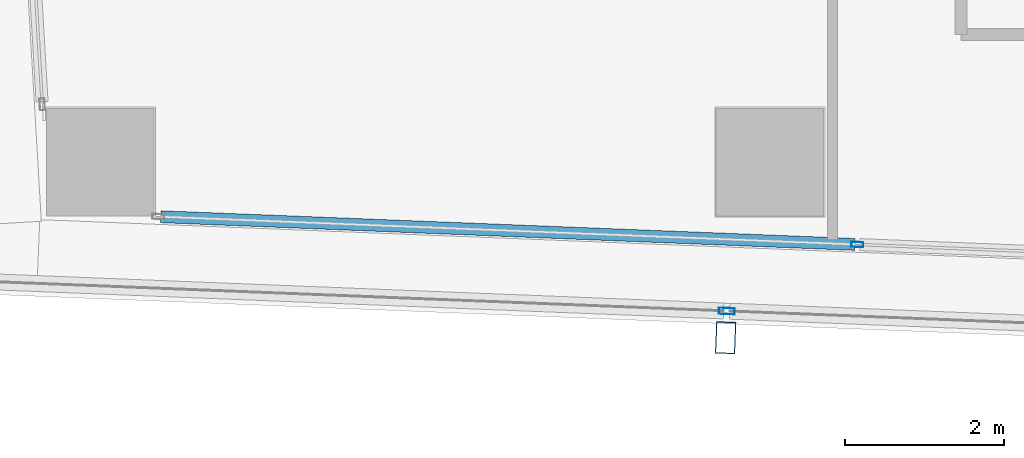
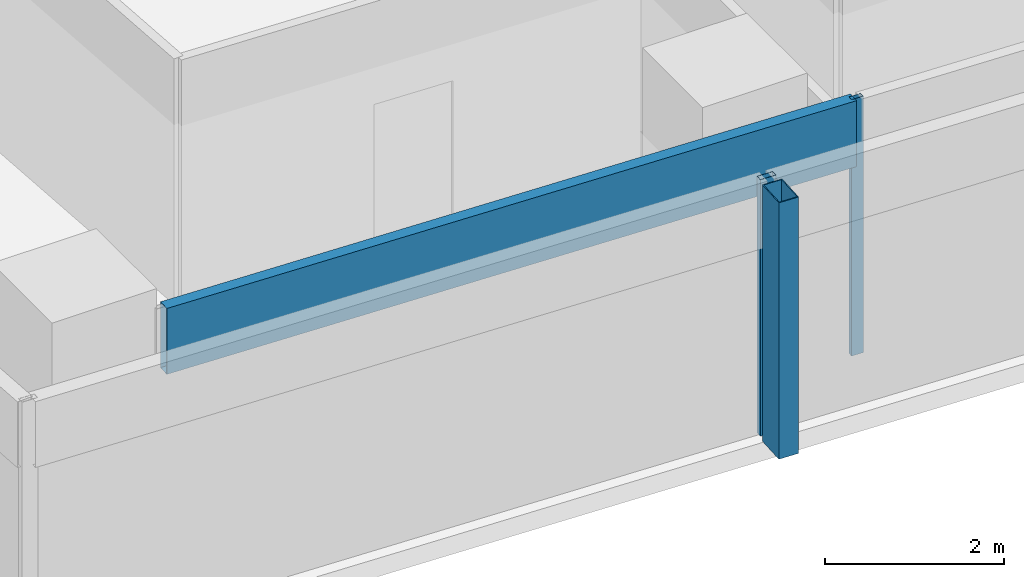
# One storey, part 3 of 38: 4 members, 2 elements without a shape of their own.
"""IFC4 building model written with IfcOpenShell, lengths in metres."""

from ifc_helpers import new_model, si_unit, direction, frame, origin, origin_2d, place, context, subcontext, project, spatial, hollow_rectangle, extrude, material, material_profile, profile_set, type_object, element, aggregate, save


model = new_model("IFC4")

# Units and contexts
model_context = context("Model", 3, precision=1e-05, world=origin(), true_north=direction((0.0, 1.0)))
body_context = subcontext(model_context, "Body", "Model", "MODEL_VIEW")
ifc_project = project(units=[si_unit("LENGTHUNIT", "METRE"), si_unit("AREAUNIT", "SQUARE_METRE"), si_unit("VOLUMEUNIT", "CUBIC_METRE"), si_unit("PLANEANGLEUNIT", "RADIAN"), si_unit("MASSUNIT", "GRAM", prefix="KILO")], contexts=[model_context])

# Site, building, storey
site_placement = place(None, origin())
site = spatial("IfcSite", under=ifc_project, at=site_placement, CompositionType="ELEMENT")
building_placement = place(site_placement, origin())
building = spatial("IfcBuilding", under=site, at=building_placement, Name="Rekha Terrace Tower", CompositionType="ELEMENT")
storey_placement = place(building_placement, frame((0.0, 0.0, 202.699951171875)))
storey = spatial("IfcBuildingStorey", under=building, at=storey_placement, Name="L51", CompositionType="ELEMENT", Elevation=202.699951171875)

# Curtain wall, member
ifc_material_1 = material(Name="Aluminium framing", Category="aluminium")
curtain_wall_type_1 = type_object("IfcCurtainWallType", Name="CW2 double skin outer glazing", PredefinedType="USERDEFINED", material=ifc_material_1)
curtain_wall_1_placement = place(storey_placement, origin())
curtain_wall_1 = element("IfcCurtainWall", 1, at=curtain_wall_1_placement, inside=storey, type_object=curtain_wall_type_1, Name="CW2 double skin outer glazing", ObjectType="DOUBLE SKIN OUTER GLAZING", PredefinedType="USERDEFINED")
ifc_material_2 = material(Name="Steel S355 with fluorocarbon finish", Category="steel")
ifc_material_profile_1 = material_profile(ifc_material_2, hollow_rectangle(XDim=0.25, YDim=0.39990234375, WallThickness=0.012451171875, at=origin_2d()), Name="RHS400x250x12.5")
ifc_profile_set_1 = profile_set([ifc_material_profile_1], Name="Steel S355 with fluorocarbon finish")
member_type_1 = type_object("IfcMemberType", Name="BL1 facade blade RHS 400 x 250", PredefinedType="USERDEFINED", material=ifc_profile_set_1)
member_1_placement = place(storey_placement, frame((16.24658203125, 14.595947265625, 0.0), z_axis=(0.0, 0.0, 1.0), x_axis=(0.999204797763, -0.039871946621, 0.0)))
member_1 = element("IfcMember", 2, at=member_1_placement, type_object=member_type_1, Name="Facade blade", ObjectType="FACADE BLADE", PredefinedType="USERDEFINED", context=body_context, shape_type="SweptSolid", body=[
    extrude(hollow_rectangle(XDim=0.25, YDim=0.39990234375, WallThickness=0.012451171875, at=origin_2d()), origin(), (0.0, 0.0, 1.0), 3.5),
])

# Curtain wall, members
curtain_wall_type_2 = type_object("IfcCurtainWallType", Name="CW1 double skin inner glazing", PredefinedType="USERDEFINED", material=ifc_material_1)
curtain_wall_2_placement = place(storey_placement, origin())
curtain_wall_2 = element("IfcCurtainWall", 3, at=curtain_wall_2_placement, inside=storey, type_object=curtain_wall_type_2, Name="CW1 double skin inner glazing", ObjectType="DOUBLE SKIN INNER GLAZING", PredefinedType="USERDEFINED")
ifc_material_3 = material(Name="Aluminium mullion section", Category="aluminium")
ifc_material_profile_2 = material_profile(ifc_material_3, hollow_rectangle(XDim=0.06494140625, YDim=0.14990234375, WallThickness=0.00390625, at=origin_2d()), Name="AL RHS 65x150")
ifc_profile_set_2 = profile_set([ifc_material_profile_2], Name="Aluminium mullion section")
member_type_2 = type_object("IfcMemberType", Name="CW1 mullion RHS 65 x 150", PredefinedType="MULLION", material=ifc_profile_set_2)
member_2_placement = place(storey_placement, frame((17.89892578125, 15.765869140625, 0.0), z_axis=(0.0, 0.0, 1.0), x_axis=(0.039872497061, 0.999204775798, 0.0)))
member_2 = element("IfcMember", 4, at=member_2_placement, type_object=member_type_2, Name="CW1 mullion 2", PredefinedType="MULLION", context=body_context, shape_type="SweptSolid", body=[
    extrude(hollow_rectangle(XDim=0.06494140625, YDim=0.14990234375, WallThickness=0.00390625, at=origin_2d()), origin(), (0.0, 0.0, 1.0), 3.5),
])
ifc_material_4 = material(Name="Insulated aluminium spandrel box", Category="aluminium")
ifc_material_profile_3 = material_profile(ifc_material_4, hollow_rectangle(XDim=0.14990234375, YDim=0.89990234375, WallThickness=0.0029296875, at=origin_2d()), Name="AL SPANDREL BOX 150x900")
ifc_profile_set_3 = profile_set([ifc_material_profile_3], Name="Insulated aluminium spandrel box")
member_type_3 = type_object("IfcMemberType", Name="CW1 spandrel transom 150 x 900", PredefinedType="USERDEFINED", material=ifc_profile_set_3)
member_3_placement = place(storey_placement, frame((9.15966796875, 16.11474609375, 3.050048828125), z_axis=(0.999204892499, -0.039869572443, 0.0), x_axis=(0.039869572443, 0.999204892499, 0.0)))
member_3 = element("IfcMember", 5, at=member_3_placement, type_object=member_type_3, Name="CW1 spandrel transom 1", ObjectType="TRANSOM", PredefinedType="USERDEFINED", context=body_context, shape_type="SweptSolid", body=[
    extrude(hollow_rectangle(XDim=0.14990234375, YDim=0.89990234375, WallThickness=0.0029296875, at=origin_2d()), origin(), (0.0, 0.0, 1.0), 8.713623046875),
])
aggregate(curtain_wall_2, [member_2, member_3])

# Member
ifc_material_profile_4 = material_profile(ifc_material_3, hollow_rectangle(XDim=0.080078125, YDim=0.199951171875, WallThickness=0.00390625, at=origin_2d()), Name="AL RHS 80x200")
ifc_profile_set_4 = profile_set([ifc_material_profile_4], Name="Aluminium mullion section")
member_type_4 = type_object("IfcMemberType", Name="CW2 mullion RHS 80 x 200", PredefinedType="MULLION", material=ifc_profile_set_4)
member_4_placement = place(storey_placement, frame((16.259765625, 14.9306640625, 0.0), z_axis=(0.0, 0.0, 1.0), x_axis=(0.039872497044, 0.999204775799, 0.0)))
member_4 = element("IfcMember", 6, at=member_4_placement, type_object=member_type_4, Name="CW2 mullion 2", PredefinedType="MULLION", context=body_context, shape_type="SweptSolid", body=[
    extrude(hollow_rectangle(XDim=0.080078125, YDim=0.199951171875, WallThickness=0.00390625, at=origin_2d()), origin(), (0.0, 0.0, 1.0), 3.5),
])

aggregate(curtain_wall_1, [member_4, member_1])

save(model, "model.ifc")
